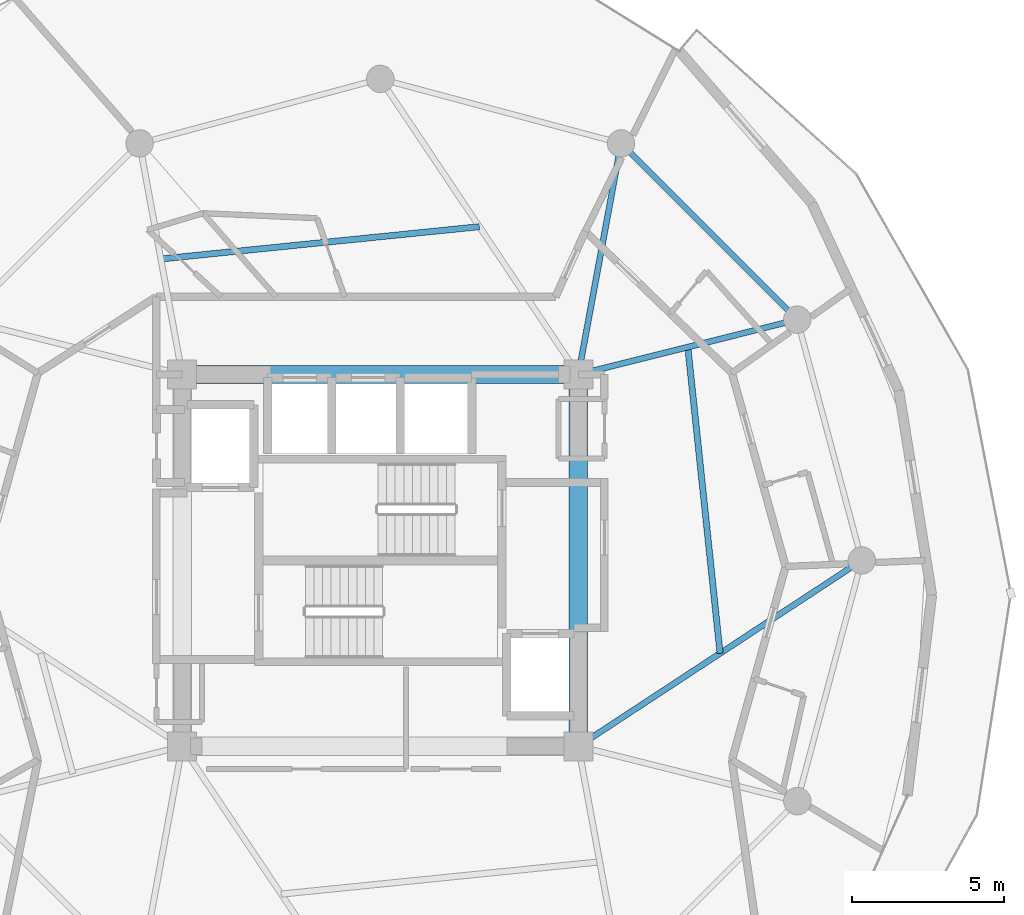
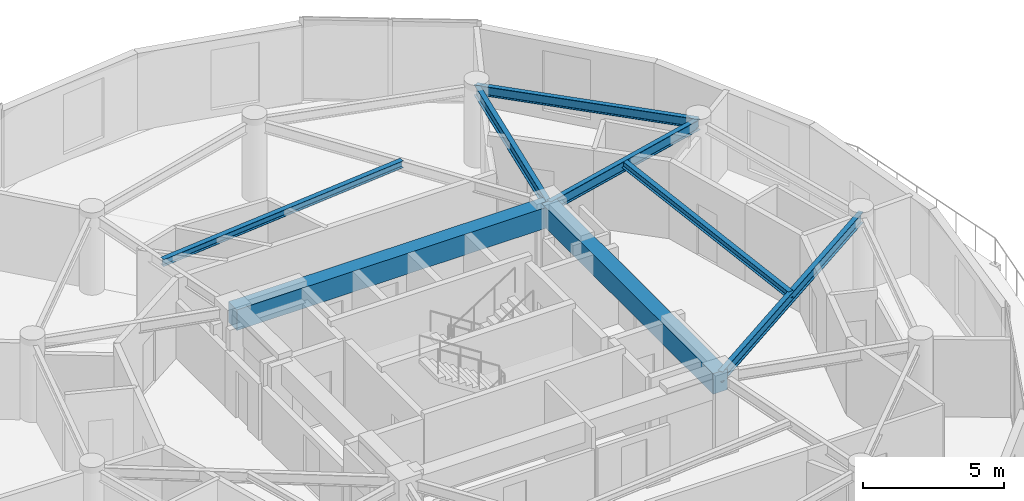
# One storey, part 10 of 22: 8 beams.
"""IFC4 building model written with IfcOpenShell, lengths in metres."""

from ifc_helpers import new_model, si_unit, direction, frame, origin, origin_2d, place, context, subcontext, project, spatial, rectangle, i_section, extrude, material, material_profile, profile_set, type_object, element, save


model = new_model("IFC4")

# Units and contexts
model_context = context("Model", 3, precision=1e-05, world=origin(), true_north=direction((0.0, 1.0)))
body_context = subcontext(model_context, "Body", "Model", "MODEL_VIEW")
ifc_project = project(units=[si_unit("LENGTHUNIT", "METRE"), si_unit("AREAUNIT", "SQUARE_METRE"), si_unit("VOLUMEUNIT", "CUBIC_METRE"), si_unit("PLANEANGLEUNIT", "RADIAN"), si_unit("MASSUNIT", "GRAM", prefix="KILO")], contexts=[model_context])

# Site, building, storey
site_placement = place(None, origin())
site = spatial("IfcSite", under=ifc_project, at=site_placement, CompositionType="ELEMENT")
building_placement = place(site_placement, origin())
building = spatial("IfcBuilding", under=site, at=building_placement, Name="Solvirekh Grand Hotel", CompositionType="ELEMENT")
storey_placement = place(building_placement, frame((0.0, 0.0, 227.199951171875)))
storey = spatial("IfcBuildingStorey", under=building, at=storey_placement, Name="L59", CompositionType="ELEMENT", Elevation=227.199951171875)

# Beams
ifc_material_1 = material(Name="Concrete C50/60", Category="concrete")
ifc_material_profile_1 = material_profile(ifc_material_1, rectangle(XDim=0.60009765625, YDim=0.89990234375, at=origin_2d()), Name="RC BEAM 600X900")
ifc_profile_set_1 = profile_set([ifc_material_profile_1], Name="Concrete C50/60")
beam_type_1 = type_object("IfcBeamType", Name="Beam_Core_RC900", PredefinedType="BEAM", material=ifc_profile_set_1)
beam_1_placement = place(storey_placement, frame((6.5, -6.10009765625, 2.91015625), z_axis=(0.0, 1.0, 0.0), x_axis=(-1.0, 0.0, 0.0)))
element("IfcBeam", 1, at=beam_1_placement, inside=storey, type_object=beam_type_1, Name="L59 core coupling ring beam 2", PredefinedType="BEAM", context=body_context, shape_type="SweptSolid", body=[
    extrude(rectangle(XDim=0.60009765625, YDim=0.89990234375, at=origin_2d()), origin(), (0.0, 0.0, 1.0), 12.2001953125),
])
beam_2_placement = place(storey_placement, frame((6.5, 6.10009765625, 2.91015625), z_axis=(-1.0, 0.0, 0.0), x_axis=(0.0, -1.0, 0.0)))
element("IfcBeam", 2, at=beam_2_placement, inside=storey, type_object=beam_type_1, Name="L59 core coupling ring beam 3", PredefinedType="BEAM", context=body_context, shape_type="SweptSolid", body=[
    extrude(rectangle(XDim=0.60009765625, YDim=0.89990234375, at=origin_2d()), origin(), (0.0, 0.0, 1.0), 13.0),
])
ifc_material_2 = material(Name="Steel S355", Category="steel")
ifc_material_profile_2 = material_profile(ifc_material_2, i_section(OverallWidth=0.194091796875, OverallDepth=0.468994140625, WebThickness=0.010986328125, FlangeThickness=0.01904296875, FilletRadius=0.012939453125, at=origin_2d()), Name="W460X106")
ifc_profile_set_2 = profile_set([ifc_material_profile_2], Name="Steel S355")
beam_type_2 = type_object("IfcBeamType", Name="Beam_Radial_W460H", PredefinedType="BEAM", material=ifc_profile_set_2)
beam_3_placement = place(storey_placement, frame((6.5, -6.10009765625, 3.1259765625), z_axis=(0.836174064962, 0.548464158432, 0.0), x_axis=(-0.548464158432, 0.836174064962, 0.0)))
element("IfcBeam", 3, at=beam_3_placement, inside=storey, type_object=beam_type_2, Name="L59 radial floor beam R01", PredefinedType="BEAM", context=body_context, shape_type="SweptSolid", body=[
    extrude(i_section(OverallWidth=0.194091796875, OverallDepth=0.468994140625, WebThickness=0.010986328125, FlangeThickness=0.01904296875, FilletRadius=0.012939453125, at=origin_2d()), origin(), (0.0, 0.0, 1.0), 11.1220703125),
])
beam_4_placement = place(storey_placement, frame((6.5, 6.10009765625, 3.1259765625), z_axis=(0.970014367692, 0.243047580675, 0.0), x_axis=(-0.243047580675, 0.970014367692, 0.0)))
element("IfcBeam", 4, at=beam_4_placement, inside=storey, type_object=beam_type_2, Name="L59 radial floor beam R02", PredefinedType="BEAM", context=body_context, shape_type="SweptSolid", body=[
    extrude(i_section(OverallWidth=0.194091796875, OverallDepth=0.468994140625, WebThickness=0.010986328125, FlangeThickness=0.01904296875, FilletRadius=0.012939453125, at=origin_2d()), origin(), (0.0, 0.0, 1.0), 7.4052734375),
])
beam_5_placement = place(storey_placement, frame((6.5, 6.10009765625, 3.1259765625), z_axis=(0.181542769111, 0.983383049978, 0.0), x_axis=(-0.983383049978, 0.181542769111, 0.0)))
element("IfcBeam", 5, at=beam_5_placement, inside=storey, type_object=beam_type_2, Name="L59 radial floor beam R03", PredefinedType="BEAM", context=body_context, shape_type="SweptSolid", body=[
    extrude(i_section(OverallWidth=0.194091796875, OverallDepth=0.468994140625, WebThickness=0.010986328125, FlangeThickness=0.01904296875, FilletRadius=0.012939453125, at=origin_2d()), origin(), (0.0, 0.0, 1.0), 7.711181640625),
])
ifc_material_profile_3 = material_profile(ifc_material_2, i_section(OverallWidth=0.202880859375, OverallDepth=0.302978515625, WebThickness=0.008056640625, FlangeThickness=0.012939453125, FilletRadius=0.010009765625, at=origin_2d()), Name="W310X60")
ifc_profile_set_3 = profile_set([ifc_material_profile_3], Name="Steel S355")
beam_type_3 = type_object("IfcBeamType", Name="Joist_Floor_W310", PredefinedType="JOIST", material=ifc_profile_set_3)
beam_6_placement = place(storey_placement, frame((11.14990234375, -3.050048828125, 3.208984375), z_axis=(-0.1047765874, 0.994495785176, 0.0), x_axis=(-0.994495785176, -0.1047765874, 0.0)))
element("IfcBeam", 6, at=beam_6_placement, inside=storey, type_object=beam_type_3, Name="L59 secondary composite floor joist 1", PredefinedType="JOIST", context=body_context, shape_type="SweptSolid", body=[
    extrude(i_section(OverallWidth=0.202880859375, OverallDepth=0.302978515625, WebThickness=0.008056640625, FlangeThickness=0.012939453125, FilletRadius=0.010009765625, at=origin_2d()), origin(), (0.0, 0.0, 1.0), 10.105712890625),
])
beam_7_placement = place(storey_placement, frame((3.25, 10.949951171875, 3.208984375), z_axis=(-0.994915167737, -0.100716478326, 0.0), x_axis=(0.100716478326, -0.994915167737, 0.0)))
element("IfcBeam", 7, at=beam_7_placement, inside=storey, type_object=beam_type_3, Name="L59 secondary composite floor joist 4", PredefinedType="JOIST", context=body_context, shape_type="SweptSolid", body=[
    extrude(i_section(OverallWidth=0.202880859375, OverallDepth=0.302978515625, WebThickness=0.008056640625, FlangeThickness=0.012939453125, FilletRadius=0.010009765625, at=origin_2d()), origin(), (0.0, 0.0, 1.0), 10.50341796875),
])
ifc_material_profile_4 = material_profile(ifc_material_2, i_section(OverallWidth=0.180908203125, OverallDepth=0.4169921875, WebThickness=0.010009765625, FlangeThickness=0.01611328125, FilletRadius=0.011962890625, at=origin_2d()), Name="W410X85")
ifc_profile_set_4 = profile_set([ifc_material_profile_4], Name="Steel S355")
beam_type_4 = type_object("IfcBeamType", Name="Spandrel_Ring_W410", PredefinedType="SPANDREL", material=ifc_profile_set_4)
beam_8_placement = place(storey_placement, frame((13.68310546875, 7.89990234375, 3.152099609375), z_axis=(-0.707106781187, 0.707106781187, 0.0), x_axis=(-0.707106781187, -0.707106781187, 0.0)))
element("IfcBeam", 8, at=beam_8_placement, inside=storey, type_object=beam_type_4, Name="L59 perimeter spandrel beam 2", PredefinedType="SPANDREL", context=body_context, shape_type="SweptSolid", body=[
    extrude(i_section(OverallWidth=0.180908203125, OverallDepth=0.4169921875, WebThickness=0.010009765625, FlangeThickness=0.01611328125, FilletRadius=0.011962890625, at=origin_2d()), origin(), (0.0, 0.0, 1.0), 8.1787109375),
])

save(model, "model.ifc")
